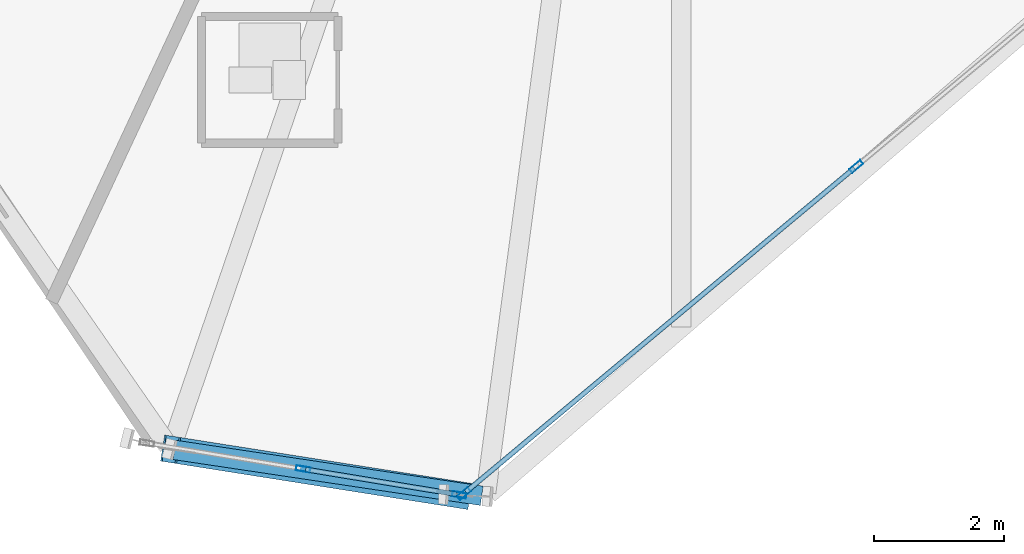
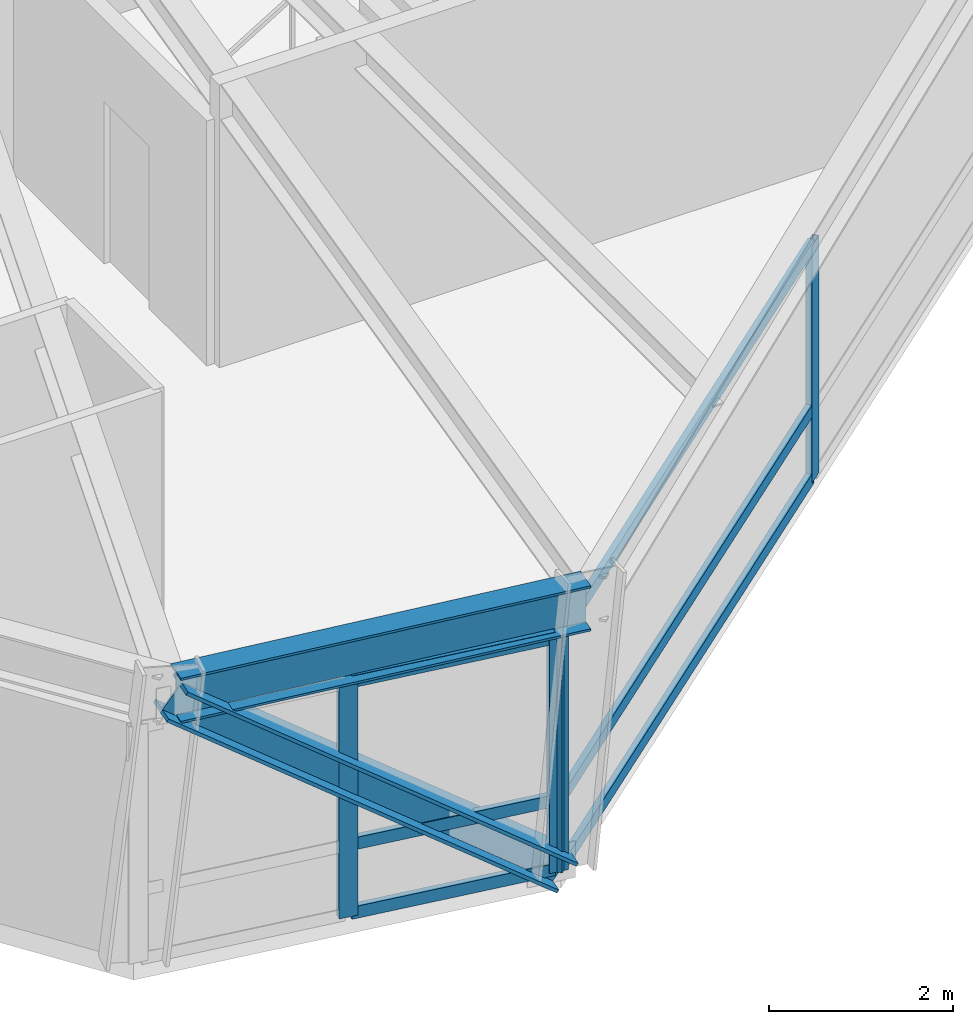
# One storey, part 3 of 16: 11 members, 1 beam, 2 elements without a shape of their own.
"""IFC4 building model written with IfcOpenShell, lengths in metres."""

from ifc_helpers import new_model, si_unit, direction, frame, origin, origin_2d, place, context, subcontext, project, spatial, hollow_rectangle, i_section, extrude, source, transform, mapped, material, material_profile, profile_set, type_object, element, aggregate, save


model = new_model("IFC4")

# Units and contexts
model_context = context("Model", 3, precision=1e-05, world=origin(), true_north=direction((0.0, 1.0)))
body_context = subcontext(model_context, "Body", "Model", "MODEL_VIEW")
ifc_project = project(units=[si_unit("LENGTHUNIT", "METRE"), si_unit("AREAUNIT", "SQUARE_METRE"), si_unit("VOLUMEUNIT", "CUBIC_METRE"), si_unit("PLANEANGLEUNIT", "RADIAN"), si_unit("MASSUNIT", "GRAM", prefix="KILO")], contexts=[model_context])

# Site, building, storey
site_placement = place(None, origin())
site = spatial("IfcSite", under=ifc_project, at=site_placement, CompositionType="ELEMENT")
building_placement = place(site_placement, origin())
building = spatial("IfcBuilding", under=site, at=building_placement, Name="Olszyna Solenne Hotel", CompositionType="ELEMENT")
storey_placement = place(building_placement, frame((0.0, 0.0, 134.10009765625)))
storey = spatial("IfcBuildingStorey", under=building, at=storey_placement, Name="L35", CompositionType="ELEMENT", Elevation=134.10009765625)

# Beam
ifc_material_1 = material(Name="Steel S355J2", Category="steel")
ifc_material_profile_1 = material_profile(ifc_material_1, i_section(OverallWidth=0.300048828125, OverallDepth=0.60009765625, WebThickness=0.015380859375, FlangeThickness=0.030029296875, at=origin_2d()), Name="HEB 600", Category="load-bearing")
ifc_profile_set_1 = profile_set([ifc_material_profile_1], Name="Steel S355J2")
beam_type = type_object("IfcBeamType", Name="BM-S2", PredefinedType="BEAM", material=ifc_profile_set_1)
shared_shape_1 = source(origin(), body_context, "Body", "SweptSolid", [
    extrude(i_section(OverallWidth=0.300048828125, OverallDepth=0.60009765625, WebThickness=0.015380859375, FlangeThickness=0.030029296875, at=origin_2d()), origin(), (0.0, 0.0, 1.0), 4.78466796875),
])
beam_placement = place(storey_placement, frame((29.99365234375, 3.07763671875, 3.449951171875), z_axis=(0.989021895207, -0.147769045479, 0.0), x_axis=(0.147769045479, 0.989021895207, 0.0)))
element("IfcBeam", 1, at=beam_placement, inside=storey, type_object=beam_type, Name="Perimeter spandrel beam BM-S2 B-L35-1050", PredefinedType="BEAM", context=body_context, shape_type="MappedRepresentation", body=[
    mapped(shared_shape_1, transform((0.0, 0.0, 0.0), x_axis=(1.0, 0.0, 0.0), y_axis=(0.0, 1.0, 0.0), z_axis=(0.0, 0.0, 1.0), scale=1.0)),
])

# Member
ifc_material_2 = material(Name="Steel S460M", Category="steel")
ifc_material_profile_2 = material_profile(ifc_material_2, i_section(OverallWidth=0.406005859375, OverallDepth=0.416015625, WebThickness=0.026611328125, FlangeThickness=0.04150390625, at=origin_2d()), Name="HD 400x382", Category="load-bearing")
ifc_profile_set_2 = profile_set([ifc_material_profile_2], Name="Steel S460M")
member_type_1 = type_object("IfcMemberType", Name="BR-T2", PredefinedType="BRACE", material=ifc_profile_set_2)
shared_shape_2 = source(origin(), body_context, "Body", "SweptSolid", [
    extrude(i_section(OverallWidth=0.406005859375, OverallDepth=0.416015625, WebThickness=0.026611328125, FlangeThickness=0.04150390625, at=origin_2d()), origin(), (0.0, 0.0, 1.0), 5.678466796875),
])
member_1_placement = place(storey_placement, frame((34.41943359375, 2.379150390625, 0.010009765625), z_axis=(-0.789853512855, 0.12459830604, 0.600505362476), x_axis=(-0.155821755965, -0.987785189385, 0.0)))
element("IfcMember", 2, at=member_1_placement, inside=storey, type_object=member_type_1, Name="Perimeter braced-tube diagonal BR-T2 BR-L35-3", PredefinedType="BRACE", context=body_context, shape_type="MappedRepresentation", body=[
    mapped(shared_shape_2, transform((0.0, 0.0, 0.0), x_axis=(1.0, 0.0, 0.0), y_axis=(0.0, 1.0, 0.0), z_axis=(0.0, 0.0, 1.0), scale=1.0)),
])

# Curtain wall, members
ifc_material_3 = material(Name="Anodised bronze aluminium", Category="aluminium")
curtain_wall_type = type_object("IfcCurtainWallType", Name="CW-SYS-6", PredefinedType="NOTDEFINED", material=ifc_material_3)
curtain_wall_1_placement = place(storey_placement, origin())
curtain_wall_1 = element("IfcCurtainWall", 3, at=curtain_wall_1_placement, inside=storey, type_object=curtain_wall_type, Name="Unitised curtain wall CW-SYS-6 CW-L35-01", PredefinedType="NOTDEFINED")
ifc_material_profile_3 = material_profile(ifc_material_3, hollow_rectangle(XDim=0.080078125, YDim=0.219970703125, WallThickness=0.0048828125, at=origin_2d()), Name="MULL 220x80x5", Category="load-bearing")
ifc_profile_set_3 = profile_set([ifc_material_profile_3], Name="Anodised bronze aluminium")
member_type_2 = type_object("IfcMemberType", Name="CW-M1", PredefinedType="MULLION", material=ifc_profile_set_3)
shared_shape_3 = source(origin(), body_context, "Body", "SweptSolid", [
    extrude(hollow_rectangle(XDim=0.080078125, YDim=0.219970703125, WallThickness=0.0048828125, at=origin_2d()), origin(), (0.0, 0.0, 1.0), 3.141845703125),
])
member_2_placement = place(storey_placement, frame((34.4501953125, 2.40478515625, 0.0), z_axis=(0.0, 0.0, 1.0), x_axis=(-0.640340265609, 0.768091364513, 0.0)))
member_2 = element("IfcMember", 4, at=member_2_placement, type_object=member_type_2, Name="Curtain-wall mullion CW-M1 CM-L35-01-01", PredefinedType="MULLION", context=body_context, shape_type="MappedRepresentation", body=[
    mapped(shared_shape_3, transform((0.0, 0.0, 0.0), x_axis=(1.0, 0.0, 0.0), y_axis=(0.0, 1.0, 0.0), z_axis=(0.0, 0.0, 1.0), scale=1.0)),
])
member_3_placement = place(storey_placement, frame((40.493896484375, 7.443359375, 0.0), z_axis=(0.0, 0.0, 1.0), x_axis=(-0.640340265609, 0.768091364513, 0.0)))
member_3 = element("IfcMember", 5, at=member_3_placement, type_object=member_type_2, Name="Curtain-wall mullion CW-M1 CM-L35-01-02", PredefinedType="MULLION", context=body_context, shape_type="MappedRepresentation", body=[
    mapped(shared_shape_3, transform((0.0, 0.0, 0.0), x_axis=(1.0, 0.0, 0.0), y_axis=(0.0, 1.0, 0.0), z_axis=(0.0, 0.0, 1.0), scale=1.0)),
])

curtain_wall_2_placement = place(storey_placement, origin())
curtain_wall_2 = element("IfcCurtainWall", 6, at=curtain_wall_2_placement, inside=storey, type_object=curtain_wall_type, Name="Unitised curtain wall CW-SYS-6 CW-L35-02", PredefinedType="NOTDEFINED")
member_4_placement = place(storey_placement, frame((31.974853515625, 2.78369140625, 0.0), z_axis=(0.0, 0.0, 1.0), x_axis=(0.163322355132, 0.986572758753, 0.0)))
member_4 = element("IfcMember", 7, at=member_4_placement, type_object=member_type_2, Name="Curtain-wall mullion CW-M1 CM-L35-02-02", PredefinedType="MULLION", context=body_context, shape_type="MappedRepresentation", body=[
    mapped(shared_shape_3, transform((0.0, 0.0, 0.0), x_axis=(1.0, 0.0, 0.0), y_axis=(0.0, 1.0, 0.0), z_axis=(0.0, 0.0, 1.0), scale=1.0)),
])
member_5_placement = place(storey_placement, frame((34.3798828125, 2.3857421875, 0.0), z_axis=(0.0, 0.0, 1.0), x_axis=(0.163322355132, 0.986572758753, 0.0)))
member_5 = element("IfcMember", 8, at=member_5_placement, type_object=member_type_2, Name="Curtain-wall mullion CW-M1 CM-L35-02-03", PredefinedType="MULLION", context=body_context, shape_type="MappedRepresentation", body=[
    mapped(shared_shape_3, transform((0.0, 0.0, 0.0), x_axis=(1.0, 0.0, 0.0), y_axis=(0.0, 1.0, 0.0), z_axis=(0.0, 0.0, 1.0), scale=1.0)),
])

# Member
ifc_material_profile_4 = material_profile(ifc_material_3, hollow_rectangle(XDim=0.074951171875, YDim=0.159912109375, WallThickness=0.00390625, at=origin_2d()), Name="TRAN 160x75x4", Category="load-bearing")
ifc_profile_set_4 = profile_set([ifc_material_profile_4], Name="Anodised bronze aluminium")
member_type_3 = type_object("IfcMemberType", Name="CW-T1", PredefinedType="USERDEFINED", material=ifc_profile_set_4)
shared_shape_4 = source(origin(), body_context, "Body", "SweptSolid", [
    extrude(hollow_rectangle(XDim=0.074951171875, YDim=0.159912109375, WallThickness=0.00390625, at=origin_2d()), origin(), (0.0, 0.0, 1.0), 7.788330078125),
])
member_6_placement = place(storey_placement, frame((34.48095703125, 2.430419921875, 0.037353515625), z_axis=(0.768085084481, 0.640347798464, 0.0), x_axis=(-0.640347798464, 0.768085084481, 0.0)))
member_6 = element("IfcMember", 9, at=member_6_placement, type_object=member_type_3, Name="Curtain-wall transom CW-T1 CT-L35-01-01", ObjectType="TRANSOM", PredefinedType="USERDEFINED", context=body_context, shape_type="MappedRepresentation", body=[
    mapped(shared_shape_4, transform((0.0, 0.0, 0.0), x_axis=(1.0, 0.0, 0.0), y_axis=(0.0, 1.0, 0.0), z_axis=(0.0, 0.0, 1.0), scale=1.0)),
])

member_7_placement = place(storey_placement, frame((34.48095703125, 2.430419921875, 0.949951171875), z_axis=(0.768085084481, 0.640347798464, 0.0), x_axis=(-0.640347798464, 0.768085084481, 0.0)))
member_7 = element("IfcMember", 10, at=member_7_placement, type_object=member_type_3, Name="Curtain-wall transom CW-T1 CT-L35-01-02", ObjectType="TRANSOM", PredefinedType="USERDEFINED", context=body_context, shape_type="MappedRepresentation", body=[
    mapped(shared_shape_4, transform((0.0, 0.0, 0.0), x_axis=(1.0, 0.0, 0.0), y_axis=(0.0, 1.0, 0.0), z_axis=(0.0, 0.0, 1.0), scale=1.0)),
])

member_8_placement = place(storey_placement, frame((34.48095703125, 2.430419921875, 3.1044921875), z_axis=(0.768085084481, 0.640347798464, 0.0), x_axis=(-0.640347798464, 0.768085084481, 0.0)))
member_8 = element("IfcMember", 11, at=member_8_placement, type_object=member_type_3, Name="Curtain-wall transom CW-T1 CT-L35-01-03", ObjectType="TRANSOM", PredefinedType="USERDEFINED", context=body_context, shape_type="MappedRepresentation", body=[
    mapped(shared_shape_4, transform((0.0, 0.0, 0.0), x_axis=(1.0, 0.0, 0.0), y_axis=(0.0, 1.0, 0.0), z_axis=(0.0, 0.0, 1.0), scale=1.0)),
])

aggregate(curtain_wall_1, [member_2, member_3, member_6, member_7, member_8])

shared_shape_5 = source(origin(), body_context, "Body", "SweptSolid", [
    extrude(hollow_rectangle(XDim=0.074951171875, YDim=0.159912109375, WallThickness=0.00390625, at=origin_2d()), origin(), (0.0, 0.0, 1.0), 2.358154296875),
])
member_9_placement = place(storey_placement, frame((32.01416015625, 2.77734375, 0.037353515625), z_axis=(0.986564081388, -0.163374763399, 0.0), x_axis=(0.163374763399, 0.986564081388, 0.0)))
member_9 = element("IfcMember", 12, at=member_9_placement, type_object=member_type_3, Name="Curtain-wall transom CW-T1 CT-L35-02-04", ObjectType="TRANSOM", PredefinedType="USERDEFINED", context=body_context, shape_type="MappedRepresentation", body=[
    mapped(shared_shape_5, transform((0.0, 0.0, 0.0), x_axis=(1.0, 0.0, 0.0), y_axis=(0.0, 1.0, 0.0), z_axis=(0.0, 0.0, 1.0), scale=1.0)),
])

member_10_placement = place(storey_placement, frame((32.01416015625, 2.77734375, 0.949951171875), z_axis=(0.986564081388, -0.163374763399, 0.0), x_axis=(0.163374763399, 0.986564081388, 0.0)))
member_10 = element("IfcMember", 13, at=member_10_placement, type_object=member_type_3, Name="Curtain-wall transom CW-T1 CT-L35-02-05", ObjectType="TRANSOM", PredefinedType="USERDEFINED", context=body_context, shape_type="MappedRepresentation", body=[
    mapped(shared_shape_5, transform((0.0, 0.0, 0.0), x_axis=(1.0, 0.0, 0.0), y_axis=(0.0, 1.0, 0.0), z_axis=(0.0, 0.0, 1.0), scale=1.0)),
])

member_11_placement = place(storey_placement, frame((32.01416015625, 2.77734375, 3.1044921875), z_axis=(0.986564081388, -0.163374763399, 0.0), x_axis=(0.163374763399, 0.986564081388, 0.0)))
member_11 = element("IfcMember", 14, at=member_11_placement, type_object=member_type_3, Name="Curtain-wall transom CW-T1 CT-L35-02-06", ObjectType="TRANSOM", PredefinedType="USERDEFINED", context=body_context, shape_type="MappedRepresentation", body=[
    mapped(shared_shape_5, transform((0.0, 0.0, 0.0), x_axis=(1.0, 0.0, 0.0), y_axis=(0.0, 1.0, 0.0), z_axis=(0.0, 0.0, 1.0), scale=1.0)),
])

aggregate(curtain_wall_2, [member_4, member_5, member_9, member_10, member_11])

save(model, "model.ifc")
